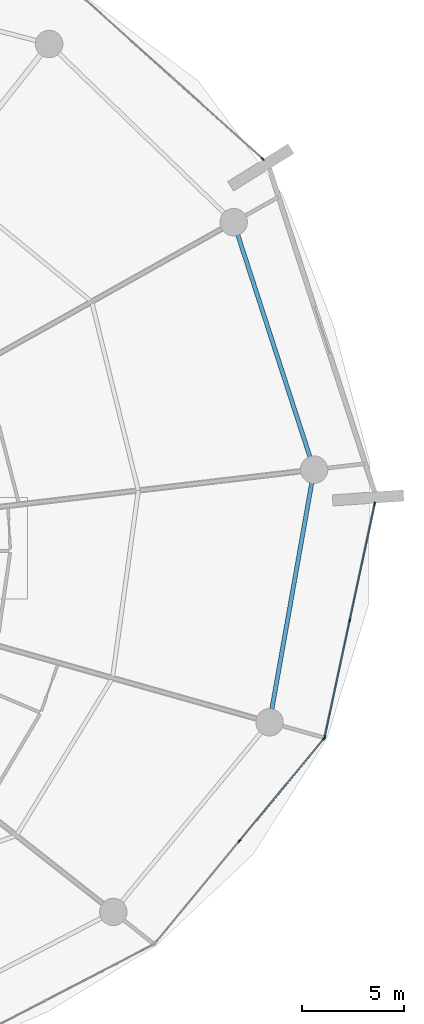
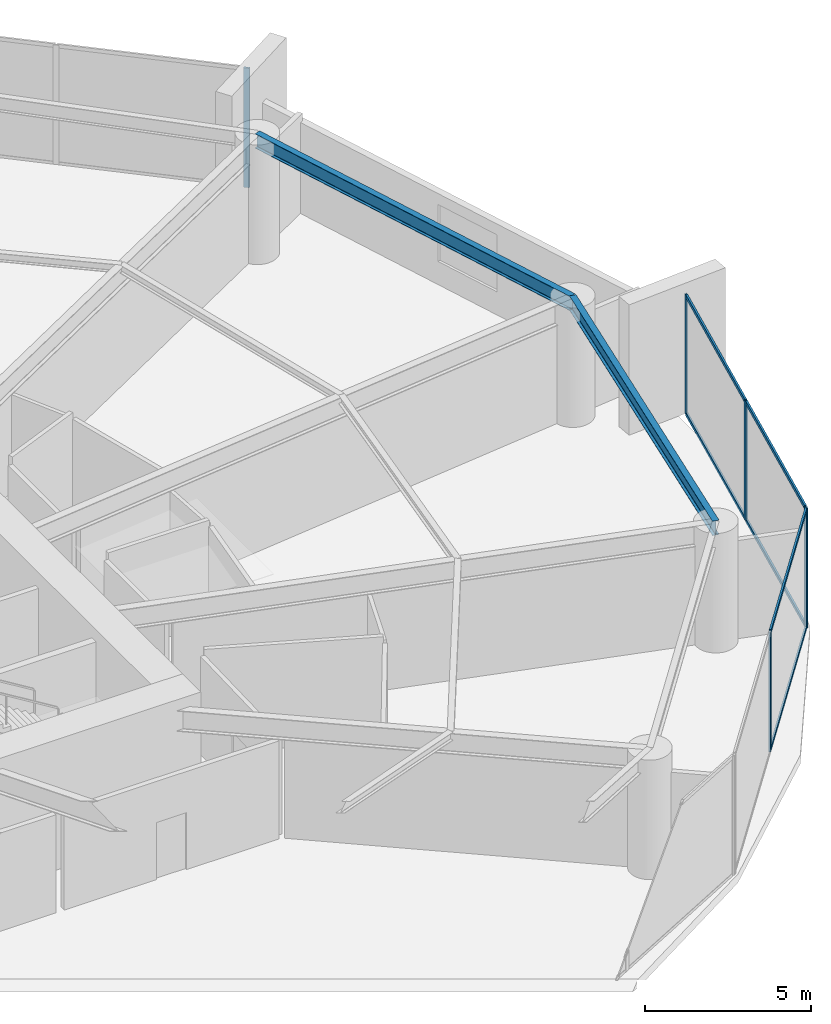
# One storey, part 16 of 22: 12 members, 2 beams, 3 elements without a shape of their own.
"""IFC4 building model written with IfcOpenShell, lengths in metres."""

from ifc_helpers import new_model, si_unit, direction, frame, origin, origin_2d, place, context, subcontext, project, spatial, rectangle, i_section, extrude, material, layer, layer_set, material_profile, profile_set, type_object, element, aggregate, save


model = new_model("IFC4")

# Units and contexts
model_context = context("Model", 3, precision=1e-05, world=origin(), true_north=direction((0.0, 1.0)))
body_context = subcontext(model_context, "Body", "Model", "MODEL_VIEW")
ifc_project = project(units=[si_unit("LENGTHUNIT", "METRE"), si_unit("AREAUNIT", "SQUARE_METRE"), si_unit("VOLUMEUNIT", "CUBIC_METRE"), si_unit("PLANEANGLEUNIT", "RADIAN"), si_unit("MASSUNIT", "GRAM", prefix="KILO")], contexts=[model_context])

# Site, building, storey
site_placement = place(None, origin())
site = spatial("IfcSite", under=ifc_project, at=site_placement, CompositionType="ELEMENT")
building_placement = place(site_placement, origin())
building = spatial("IfcBuilding", under=site, at=building_placement, Name="Kazma Halo Residences", CompositionType="ELEMENT")
storey_placement = place(building_placement, frame((0.0, 0.0, 16.800048828125)))
storey = spatial("IfcBuildingStorey", under=building, at=storey_placement, Name="L03", CompositionType="ELEMENT", Elevation=16.800048828125)

# Beams
ifc_material_1 = material(Name="Steel S355", Category="steel")
ifc_material_profile_1 = material_profile(ifc_material_1, i_section(OverallWidth=0.208984375, OverallDepth=0.532958984375, WebThickness=0.01025390625, FlangeThickness=0.015625, FilletRadius=0.01611328125, at=origin_2d()), Name="W530x92")
ifc_profile_set_1 = profile_set([ifc_material_profile_1], Name="Steel S355")
beam_type = type_object("IfcBeamType", Name="BM-SPN-W530", PredefinedType="BEAM", material=ifc_profile_set_1)
beam_1_placement = place(storey_placement, frame((78.397705078125, 33.427001953125, 4.133544921875), z_axis=(0.173657334149, 0.984806138434, 0.0), x_axis=(-0.984806138434, 0.173657334149, 0.0)))
element("IfcBeam", 1, at=beam_1_placement, inside=storey, type_object=beam_type, Name="L03 perimeter ring beam 15", PredefinedType="BEAM", context=body_context, shape_type="SweptSolid", body=[
    extrude(i_section(OverallWidth=0.208984375, OverallDepth=0.532958984375, WebThickness=0.01025390625, FlangeThickness=0.015625, FilletRadius=0.01611328125, at=origin_2d()), origin(), (0.0, 0.0, 1.0), 12.6220703125),
])
beam_2_placement = place(storey_placement, frame((80.589599609375, 45.857177734375, 4.133544921875), z_axis=(-0.3090114866, 0.951058305862, 0.0), x_axis=(-0.951058305862, -0.3090114866, 0.0)))
element("IfcBeam", 2, at=beam_2_placement, inside=storey, type_object=beam_type, Name="L03 perimeter ring beam 16", PredefinedType="BEAM", context=body_context, shape_type="SweptSolid", body=[
    extrude(i_section(OverallWidth=0.208984375, OverallDepth=0.532958984375, WebThickness=0.01025390625, FlangeThickness=0.015625, FilletRadius=0.01611328125, at=origin_2d()), origin(), (0.0, 0.0, 1.0), 12.8046875),
])

# Curtain wall, member
ifc_material_2 = material(Name="Aluminium AW-6063 T6 and Triple-Silver Low-E Glass", Category="aluminium")
ifc_layer = layer(ifc_material_2, 0.179931640625)
ifc_layer_set = layer_set([ifc_layer], Name="Aluminium AW-6063 T6 and Triple-Silver Low-E Glass")
curtain_wall_type = type_object("IfcCurtainWallType", Name="CW-SYS-1", PredefinedType="NOTDEFINED", material=ifc_layer_set)
curtain_wall_1_placement = place(storey_placement, origin())
curtain_wall_1 = element("IfcCurtainWall", 3, at=curtain_wall_1_placement, inside=storey, type_object=curtain_wall_type, Name="L03 unitised curtain wall B01", PredefinedType="NOTDEFINED")
ifc_material_3 = material(Name="Aluminium AW-6063 T6", Category="aluminium")
ifc_material_profile_2 = material_profile(ifc_material_3, rectangle(XDim=0.06494140625, YDim=0.179931640625, at=origin_2d()), Name="CWM-65x180")
ifc_profile_set_2 = profile_set([ifc_material_profile_2], Name="Aluminium AW-6063 T6")
member_type_1 = type_object("IfcMemberType", Name="CW-SYS-1-MUL", PredefinedType="MULLION", material=ifc_profile_set_2)
member_1_placement = place(storey_placement, frame((78.05859375, 61.14990234375, 0.0), z_axis=(0.0, 0.0, 1.0), x_axis=(-0.667847908139, -0.744297770784, 0.0)))
member_1 = element("IfcMember", 4, at=member_1_placement, type_object=member_type_1, Name="CWS-1 mullion 1", PredefinedType="MULLION", context=body_context, shape_type="SweptSolid", body=[
    extrude(rectangle(XDim=0.06494140625, YDim=0.179931640625, at=origin_2d()), origin(), (0.0, 0.0, 1.0), 4.39990234375),
])
aggregate(curtain_wall_1, [member_1])

# Curtain wall, members
curtain_wall_2_placement = place(storey_placement, origin())
curtain_wall_2 = element("IfcCurtainWall", 5, at=curtain_wall_2_placement, inside=storey, type_object=curtain_wall_type, Name="L03 unitised curtain wall B14", PredefinedType="NOTDEFINED")
member_2_placement = place(storey_placement, frame((76.915283203125, 27.5859375, 0.0), z_axis=(0.0, 0.0, 1.0), x_axis=(-0.771191775002, 0.636602895194, 0.0)))
member_2 = element("IfcMember", 6, at=member_2_placement, type_object=member_type_1, Name="CWS-1 mullion 2", PredefinedType="MULLION", context=body_context, shape_type="SweptSolid", body=[
    extrude(rectangle(XDim=0.06494140625, YDim=0.179931640625, at=origin_2d()), origin(), (0.0, 0.0, 1.0), 4.39990234375),
])
member_3_placement = place(storey_placement, frame((81.08544921875, 32.637939453125, 0.0), z_axis=(0.0, 0.0, 1.0), x_axis=(-0.771191775002, 0.636602895194, 0.0)))
member_3 = element("IfcMember", 7, at=member_3_placement, type_object=member_type_1, Name="CWS-1 mullion 3", PredefinedType="MULLION", context=body_context, shape_type="SweptSolid", body=[
    extrude(rectangle(XDim=0.06494140625, YDim=0.179931640625, at=origin_2d()), origin(), (0.0, 0.0, 1.0), 4.39990234375),
])

curtain_wall_3_placement = place(storey_placement, origin())
curtain_wall_3 = element("IfcCurtainWall", 8, at=curtain_wall_3_placement, inside=storey, type_object=curtain_wall_type, Name="L03 unitised curtain wall B15", PredefinedType="NOTDEFINED")
member_4_placement = place(storey_placement, frame((81.113037109375, 32.69482421875, 0.0), z_axis=(0.0, 0.0, 1.0), x_axis=(-0.977788157631, 0.209595607771, 0.0)))
member_4 = element("IfcMember", 9, at=member_4_placement, type_object=member_type_1, Name="CWS-1 mullion 1", PredefinedType="MULLION", context=body_context, shape_type="SweptSolid", body=[
    extrude(rectangle(XDim=0.06494140625, YDim=0.179931640625, at=origin_2d()), origin(), (0.0, 0.0, 1.0), 4.39990234375),
])
member_5_placement = place(storey_placement, frame((82.343505859375, 38.435302734375, 0.0), z_axis=(0.0, 0.0, 1.0), x_axis=(-0.977788157631, 0.209595607771, 0.0)))
member_5 = element("IfcMember", 10, at=member_5_placement, type_object=member_type_1, Name="CWS-1 mullion 2", PredefinedType="MULLION", context=body_context, shape_type="SweptSolid", body=[
    extrude(rectangle(XDim=0.06494140625, YDim=0.179931640625, at=origin_2d()), origin(), (0.0, 0.0, 1.0), 4.39990234375),
])
member_6_placement = place(storey_placement, frame((83.573974609375, 44.175537109375, 0.0), z_axis=(0.0, 0.0, 1.0), x_axis=(-0.977788157631, 0.209595607771, 0.0)))
member_6 = element("IfcMember", 11, at=member_6_placement, type_object=member_type_1, Name="CWS-1 mullion 3", PredefinedType="MULLION", context=body_context, shape_type="SweptSolid", body=[
    extrude(rectangle(XDim=0.06494140625, YDim=0.179931640625, at=origin_2d()), origin(), (0.0, 0.0, 1.0), 4.39990234375),
])

# Member
ifc_material_profile_3 = material_profile(ifc_material_3, rectangle(XDim=0.06494140625, YDim=0.135009765625, at=origin_2d()), Name="CWT-65x135")
ifc_profile_set_3 = profile_set([ifc_material_profile_3], Name="Aluminium AW-6063 T6")
member_type_2 = type_object("IfcMemberType", Name="CW-SYS-1-TRN", PredefinedType="USERDEFINED", material=ifc_profile_set_3)
member_7_placement = place(storey_placement, frame((76.935791015625, 27.611083984375, 0.032470703125), z_axis=(0.636615852507, 0.771181078825, 0.0), x_axis=(-0.771181078825, 0.636615852507, 0.0)))
member_7 = element("IfcMember", 12, at=member_7_placement, type_object=member_type_2, Name="CWS-1 transom 2.1", ObjectType="TRANSOM", PredefinedType="USERDEFINED", context=body_context, shape_type="SweptSolid", body=[
    extrude(rectangle(XDim=0.06494140625, YDim=0.135009765625, at=origin_2d()), origin(), (0.0, 0.0, 1.0), 6.486083984375),
])

member_8_placement = place(storey_placement, frame((76.935791015625, 27.611083984375, 4.367431640625), z_axis=(0.636615852507, 0.771181078825, 0.0), x_axis=(-0.771181078825, 0.636615852507, 0.0)))
member_8 = element("IfcMember", 13, at=member_8_placement, type_object=member_type_2, Name="CWS-1 transom 2.2", ObjectType="TRANSOM", PredefinedType="USERDEFINED", context=body_context, shape_type="SweptSolid", body=[
    extrude(rectangle(XDim=0.06494140625, YDim=0.135009765625, at=origin_2d()), origin(), (0.0, 0.0, 1.0), 6.486083984375),
])

aggregate(curtain_wall_2, [member_2, member_3, member_7, member_8])

member_9_placement = place(storey_placement, frame((81.119873046875, 32.7265625, 0.032470703125), z_axis=(0.209577907659, 0.977791951604, 0.0), x_axis=(-0.977791951604, 0.209577907659, 0.0)))
member_9 = element("IfcMember", 14, at=member_9_placement, type_object=member_type_2, Name="CWS-1 transom 1.1", ObjectType="TRANSOM", PredefinedType="USERDEFINED", context=body_context, shape_type="SweptSolid", body=[
    extrude(rectangle(XDim=0.06494140625, YDim=0.135009765625, at=origin_2d()), origin(), (0.0, 0.0, 1.0), 5.805908203125),
])

member_10_placement = place(storey_placement, frame((81.119873046875, 32.7265625, 4.367431640625), z_axis=(0.209577907659, 0.977791951604, 0.0), x_axis=(-0.977791951604, 0.209577907659, 0.0)))
member_10 = element("IfcMember", 15, at=member_10_placement, type_object=member_type_2, Name="CWS-1 transom 1.2", ObjectType="TRANSOM", PredefinedType="USERDEFINED", context=body_context, shape_type="SweptSolid", body=[
    extrude(rectangle(XDim=0.06494140625, YDim=0.135009765625, at=origin_2d()), origin(), (0.0, 0.0, 1.0), 5.805908203125),
])

member_11_placement = place(storey_placement, frame((82.350341796875, 38.467041015625, 0.032470703125), z_axis=(0.209586525071, 0.977790104526, 0.0), x_axis=(-0.977790104526, 0.209586525071, 0.0)))
member_11 = element("IfcMember", 16, at=member_11_placement, type_object=member_type_2, Name="CWS-1 transom 2.1", ObjectType="TRANSOM", PredefinedType="USERDEFINED", context=body_context, shape_type="SweptSolid", body=[
    extrude(rectangle(XDim=0.06494140625, YDim=0.135009765625, at=origin_2d()), origin(), (0.0, 0.0, 1.0), 5.8056640625),
])

member_12_placement = place(storey_placement, frame((82.350341796875, 38.467041015625, 4.367431640625), z_axis=(0.209586525071, 0.977790104526, 0.0), x_axis=(-0.977790104526, 0.209586525071, 0.0)))
member_12 = element("IfcMember", 17, at=member_12_placement, type_object=member_type_2, Name="CWS-1 transom 2.2", ObjectType="TRANSOM", PredefinedType="USERDEFINED", context=body_context, shape_type="SweptSolid", body=[
    extrude(rectangle(XDim=0.06494140625, YDim=0.135009765625, at=origin_2d()), origin(), (0.0, 0.0, 1.0), 5.8056640625),
])

aggregate(curtain_wall_3, [member_4, member_5, member_6, member_9, member_10, member_11, member_12])

save(model, "model.ifc")
